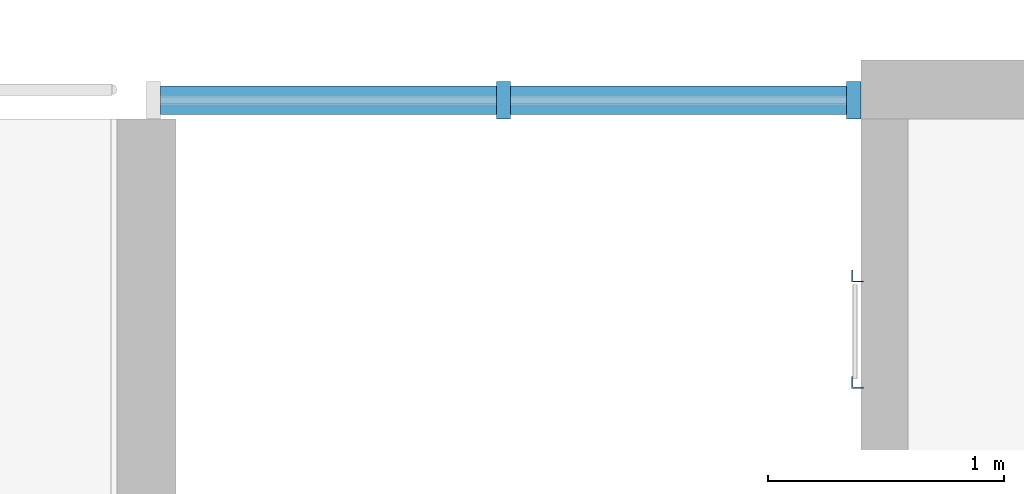
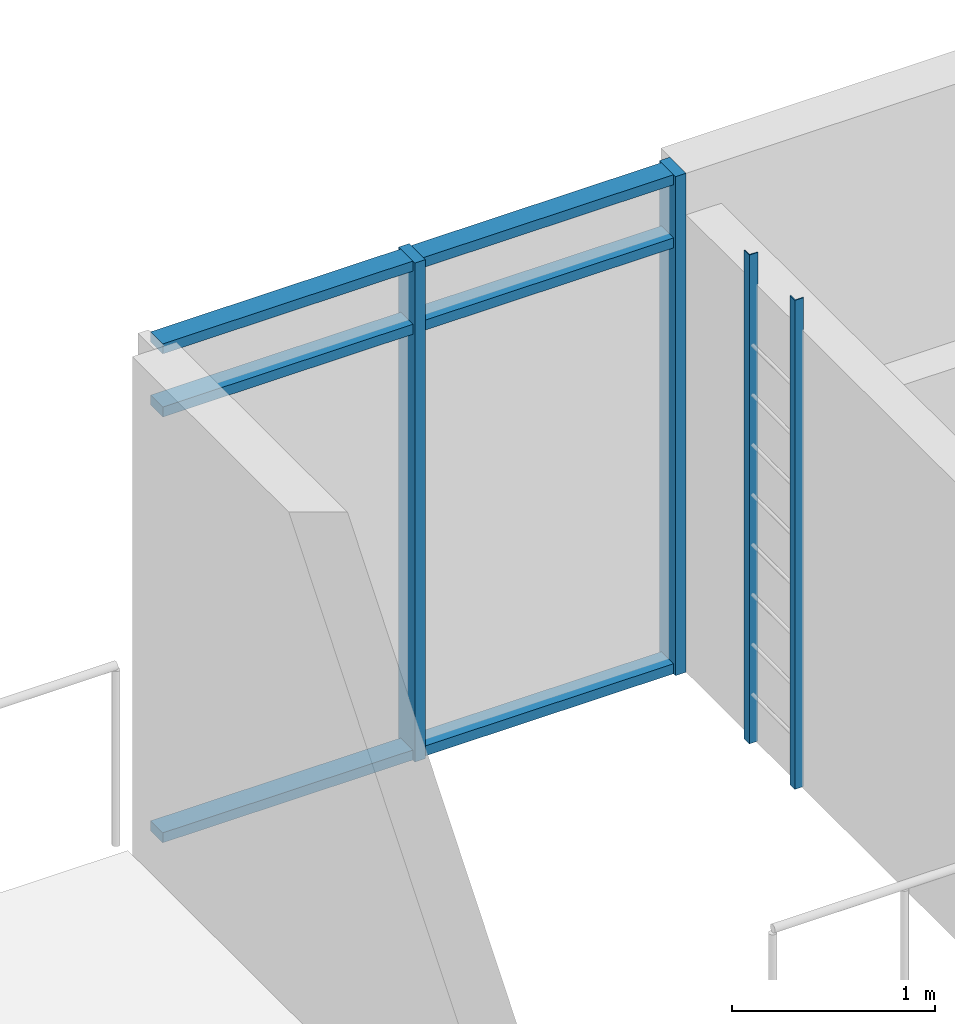
# One storey, part 4 of 33: 10 members, 1 element without a shape of its own.
"""IFC4 building model written with IfcOpenShell, lengths in metres."""

import ifcopenshell
import ifcopenshell.guid

model = None  # the IFC model being written
_history = None  # IfcOwnerHistory: only IFC2X3 demands one
_inside = {}  # id of a spatial element -> (the spatial element, [elements in it])
_under = {}  # id of a project, library or spatial element -> (it, [spatial elements below it])
_declared = {}  # id of a project -> (the project, [libraries it declares])
_typed = {}  # id of a type object -> (the type object, [elements of that type])
_made_of = {}  # id of a material, layer set ... -> (it, [elements and type objects made of it])


def new_model(schema):
    """Start an empty IFC model of exactly this schema.

    Asked for "IFC4X3", IfcOpenShell would pick the latest addendum, in which some entities
    have other attributes; the version numbers below select the first issue.
    IFC2X3 requires an IfcOwnerHistory on every rooted entity: one is made here for all.
    """
    global model, _history
    if schema == "IFC4X3":
        model = ifcopenshell.file(schema_version=(4, 3, 0, 0))
    else:
        model = ifcopenshell.file(schema=schema)
    _inside.clear()
    _under.clear()
    _declared.clear()
    _typed.clear()
    _made_of.clear()
    _history = None
    if model.schema == "IFC2X3":
        org = make("IfcOrganization", Name="unknown")
        user = make(
            "IfcPersonAndOrganization",
            ThePerson=make("IfcPerson", FamilyName="unknown"),
            TheOrganization=org,
        )
        app = make(
            "IfcApplication",
            ApplicationDeveloper=org,
            Version="unknown",
            ApplicationFullName="unknown",
            ApplicationIdentifier="unknown",
        )
        _history = make(
            "IfcOwnerHistory",
            OwningUser=user,
            OwningApplication=app,
            ChangeAction="ADDED",
            CreationDate=0,
        )
    return model


def make(cls, **values):
    """One entity of the class cls with the attributes given. An attribute that is None is left unset."""
    return model.create_entity(
        cls, **{name: value for name, value in values.items() if value is not None}
    )


def rooted(cls, **values):
    """An entity with a GlobalId (a new one), such as an element, a storey or a relation."""
    return make(cls, GlobalId=ifcopenshell.guid.new(), OwnerHistory=_history, **values)


def si_unit(unit_type, name, prefix=None):
    """IfcSIUnit, for example si_unit("LENGTHUNIT", "METRE", prefix="MILLI")."""
    return make("IfcSIUnit", UnitType=unit_type, Prefix=prefix, Name=name)


def assignment(units):
    """IfcUnitAssignment: the units of a project."""
    return None if units is None else make("IfcUnitAssignment", Units=units)


def point(xyz):
    """IfcCartesianPoint."""
    return None if xyz is None else make("IfcCartesianPoint", Coordinates=xyz)


def direction(xyz):
    """IfcDirection."""
    return None if xyz is None else make("IfcDirection", DirectionRatios=xyz)


def frame(location, z_axis=None, x_axis=None):
    """IfcAxis2Placement3D, a coordinate frame: its origin and axes. An axis left out is left unset."""
    return make(
        "IfcAxis2Placement3D",
        Location=point(location),
        Axis=direction(z_axis),
        RefDirection=direction(x_axis),
    )


def frame_2d(location, x_axis=None):
    """IfcAxis2Placement2D, a coordinate frame in the plane: its origin and x axis."""
    return make(
        "IfcAxis2Placement2D", Location=point(location), RefDirection=direction(x_axis)
    )


def origin():
    """The frame at (0, 0, 0) with its axes left unset."""
    return frame((0.0, 0.0, 0.0))


def origin_2d():
    """The frame at (0, 0) in the plane with its x axis left unset."""
    return frame_2d((0.0, 0.0))


def place(relative_to, where):
    """IfcLocalPlacement: puts the frame where relative to a parent placement (None: the world)."""
    return make(
        "IfcLocalPlacement", PlacementRelTo=relative_to, RelativePlacement=where
    )


def context(
    kind, dimensions, precision=None, world=None, true_north=None, identifier=None
):
    """IfcGeometricRepresentationContext, for example the 3D "Model" context."""
    return make(
        "IfcGeometricRepresentationContext",
        ContextIdentifier=identifier,
        ContextType=kind,
        CoordinateSpaceDimension=dimensions,
        Precision=precision,
        WorldCoordinateSystem=world,
        TrueNorth=true_north,
    )


def subcontext(parent, identifier, kind, view, scale=None):
    """IfcGeometricRepresentationSubContext, for example "Body" below "Model"."""
    return make(
        "IfcGeometricRepresentationSubContext",
        ContextIdentifier=identifier,
        ContextType=kind,
        ParentContext=parent,
        TargetScale=scale,
        TargetView=view,
    )


def project(units=None, contexts=None):
    """IfcProject with its units and contexts."""
    return rooted(
        "IfcProject",
        Name="project",
        RepresentationContexts=contexts,
        UnitsInContext=assignment(units),
    )


def spatial(cls, under=None, at=None, **own):
    """A site, building, storey or space (cls), placed at a placement, below another one or the project."""
    s = rooted(cls, ObjectPlacement=at, **own)
    if under is not None:
        _under.setdefault(under.id(), (under, []))[1].append(s)
    return s


def polyline(points):
    """IfcPolyline through the points."""
    return make("IfcPolyline", Points=[point(p) for p in points])


def profile(cls, at=None, kind="AREA", **sizes):
    """A parametric profile (cls). Its sizes go by their IFC names, for example OverallWidth=200.0."""
    return make(cls, ProfileType=kind, Position=at, **sizes)


def rectangle(**sizes):
    """IfcRectangleProfileDef."""
    return profile("IfcRectangleProfileDef", **sizes)


def outline(outer, holes=None, kind="AREA"):
    """IfcArbitraryClosedProfileDef: a profile drawn as a closed curve; with holes, ...WithVoids."""
    if holes is None:
        return make("IfcArbitraryClosedProfileDef", ProfileType=kind, OuterCurve=outer)
    return make(
        "IfcArbitraryProfileDefWithVoids",
        ProfileType=kind,
        OuterCurve=outer,
        InnerCurves=holes,
    )


def extrude(swept, where, along, depth):
    """IfcExtrudedAreaSolid: the profile swept, set in the frame where, extruded along a direction by depth."""
    return make(
        "IfcExtrudedAreaSolid",
        SweptArea=swept,
        Position=where,
        ExtrudedDirection=direction(along),
        Depth=depth,
    )


def shape(context_of_items, identifier, shape_type, items):
    """IfcShapeRepresentation: the items that make up one representation, for example the "Body"."""
    return make(
        "IfcShapeRepresentation",
        ContextOfItems=context_of_items,
        RepresentationIdentifier=identifier,
        RepresentationType=shape_type,
        Items=items,
    )


def material(Name=None, Category=None):
    """IfcMaterial."""
    return make("IfcMaterial", Name=Name, Category=Category)


def material_profile(
    of_material, cross_section, Name=None, Category=None, Priority=None
):
    """IfcMaterialProfile: a cross section and its material."""
    return make(
        "IfcMaterialProfile",
        Name=Name,
        Material=of_material,
        Profile=cross_section,
        Priority=Priority,
        Category=Category,
    )


def profile_set(profiles, Name=None, composite=None):
    """IfcMaterialProfileSet."""
    return make(
        "IfcMaterialProfileSet",
        Name=Name,
        MaterialProfiles=profiles,
        CompositeProfile=composite,
    )


def made_of(thing, what):
    """Note that an element or type object is made of a material, layer set ...; save() writes the relation."""
    if what is not None:
        _made_of.setdefault(what.id(), (what, []))[1].append(thing)
    return thing


def type_object(cls, material=None, **own):
    """A type object (cls), such as IfcWallType, which elements share."""
    return made_of(rooted(cls, **own), material)


def element(
    cls,
    number,
    at=None,
    inside=None,
    cuts=None,
    type_object=None,
    material=None,
    context=None,
    identifier="Body",
    shape_type=None,
    held_by="IfcProductDefinitionShape",
    body=None,
    shapes=None,
    **own,
):
    """One element of the class cls, such as IfcWall. Its Tag is "e" and its number.

    at: its placement. inside: the storey or other place that contains it. cuts: it is an
    opening in that element (IfcRelVoidsElement). A single representation is given by context,
    identifier, shape_type and body (its items); several are given by shapes. held_by: the class
    of the entity that holds the representations. save() writes the other relations.
    """
    e = rooted(cls, Tag="e%d" % number, ObjectPlacement=at, **own)
    if body is not None:
        shapes = [shape(context, identifier, shape_type, body)]
    if shapes is not None:
        e.Representation = make(held_by, Representations=shapes)
    if inside is not None:
        _inside.setdefault(inside.id(), (inside, []))[1].append(e)
    if cuts is not None:
        rooted(
            "IfcRelVoidsElement", RelatingBuildingElement=cuts, RelatedOpeningElement=e
        )
    if type_object is not None:
        _typed.setdefault(type_object.id(), (type_object, []))[1].append(e)
    return made_of(e, material)


def aggregate(whole, parts):
    """IfcRelAggregates: a whole, such as a stair, and the parts it consists of."""
    return rooted("IfcRelAggregates", RelatingObject=whole, RelatedObjects=parts)


def save(model, path):
    """Write the relations noted so far, then the file.

    IfcRelAggregates (storeys below a building ...), IfcRelContainedInSpatialStructure (elements
    in a storey), IfcRelDefinesByType, IfcRelAssociatesMaterial and IfcRelDeclares: one each for
    every whole, place, type object, material and project.
    """
    for whole, parts in _under.values():
        aggregate(whole, parts)
    for where, things in _inside.values():
        rooted(
            "IfcRelContainedInSpatialStructure",
            RelatedElements=things,
            RelatingStructure=where,
        )
    for kind, things in _typed.values():
        rooted("IfcRelDefinesByType", RelatedObjects=things, RelatingType=kind)
    for what, things in _made_of.values():
        rooted("IfcRelAssociatesMaterial", RelatedObjects=things, RelatingMaterial=what)
    for by, libraries in _declared.values():
        rooted("IfcRelDeclares", RelatingContext=by, RelatedDefinitions=libraries)
    model.write(path)


model = new_model("IFC4")

# Units and contexts
model_context = context("Model", 3, precision=1e-05, world=origin(), true_north=direction((0.0, 1.0)))
body_context = subcontext(model_context, "Body", "Model", "MODEL_VIEW")
ifc_project = project(units=[si_unit("LENGTHUNIT", "METRE"), si_unit("AREAUNIT", "SQUARE_METRE"), si_unit("VOLUMEUNIT", "CUBIC_METRE"), si_unit("PLANEANGLEUNIT", "RADIAN"), si_unit("MASSUNIT", "GRAM", prefix="KILO")], contexts=[model_context])

# Site, building, storey
site_placement = place(None, origin())
site = spatial("IfcSite", under=ifc_project, at=site_placement, CompositionType="ELEMENT")
building_placement = place(site_placement, origin())
building = spatial("IfcBuilding", under=site, at=building_placement, Name="Ridgestep Commons", CompositionType="ELEMENT")
storey_placement = place(building_placement, frame((0.0, 0.0, 42.0)))
storey = spatial("IfcBuildingStorey", under=building, at=storey_placement, Name="L14", CompositionType="ELEMENT", Elevation=42.0)

# Members
ifc_material_1 = material(Name="Structural steel S355JR", Category="steel")
ifc_material_profile_1 = material_profile(ifc_material_1, outline(polyline([(-0.014404296875, -0.014404296875), (0.03564453125, -0.014404296875), (0.03564453125, -0.00927734375), (-0.00927734375, -0.00927734375), (-0.00927734375, 0.03564453125), (-0.014404296875, 0.03564453125), (-0.014404296875, -0.014404296875)])), Name="EA 50x50x5")
ifc_profile_set_1 = profile_set([ifc_material_profile_1], Name="Structural steel S355JR")
member_type_1 = type_object("IfcMemberType", Name="Core ladder stile EA 50x50x5", PredefinedType="STRINGER", material=ifc_profile_set_1)
for number, where, z_axis, x_axis, name in (
    (1, (25.800048828125, 21.625, 0.0), (0.0, 0.0, 1.0), (1.0, 0.0, 0.0), "Ladder stile A1C.1"),
    (2, (25.800048828125, 22.074951171875, 0.0), (0.0, 0.0, 1.0), (1.0, 0.0, 0.0), "Ladder stile A1C.2"),
):
    element("IfcMember", number, at=place(storey_placement, frame(where, z_axis=z_axis, x_axis=x_axis)), inside=storey, type_object=member_type_1, Name=name, PredefinedType="STRINGER", context=body_context, shape_type="SweptSolid", body=[
        extrude(outline(polyline([(-0.014404296875, -0.014404296875), (0.03564453125, -0.014404296875), (0.03564453125, -0.00927734375), (-0.00927734375, -0.00927734375), (-0.00927734375, 0.03564453125), (-0.014404296875, 0.03564453125), (-0.014404296875, -0.014404296875)])), origin(), (0.0, 0.0, 1.0), 2.93994140625),
    ])

# Curtain wall, members
ifc_material_2 = material(Name="Aluminium 6063-T6 and glass", Category="aluminium")
curtain_wall_type = type_object("IfcCurtainWallType", Name="Curtain wall stair strip", PredefinedType="NOTDEFINED", material=ifc_material_2)
curtain_wall_placement = place(storey_placement, origin())
curtain_wall = element("IfcCurtainWall", 3, at=curtain_wall_placement, inside=storey, type_object=curtain_wall_type, Name="Curtain wall A1C level 14", PredefinedType="NOTDEFINED")
ifc_material_3 = material(Name="Aluminium 6063-T6", Category="aluminium")
ifc_material_profile_2 = material_profile(ifc_material_3, rectangle(XDim=0.159912109375, YDim=0.06005859375, at=origin_2d()), Name="Mullion 60 x 160")
ifc_profile_set_2 = profile_set([ifc_material_profile_2], Name="Aluminium 6063-T6")
member_type_2 = type_object("IfcMemberType", Name="Mullion 60 x 160", PredefinedType="MULLION", material=ifc_profile_set_2)
member_1_placement = place(storey_placement, frame((24.3125, 22.830078125, 0.0), z_axis=(0.0, 0.0, 1.0), x_axis=(0.0, 1.0, 0.0)))
member_1 = element("IfcMember", 4, at=member_1_placement, type_object=member_type_2, Name="CW1 mullion 2", PredefinedType="MULLION", context=body_context, shape_type="SweptSolid", body=[
    extrude(rectangle(XDim=0.159912109375, YDim=0.06005859375, at=origin_2d()), origin(), (0.0, 0.0, 1.0), 3.0),
])
member_2_placement = place(storey_placement, frame((25.794921875, 22.830078125, 0.0), z_axis=(0.0, 0.0, 1.0), x_axis=(0.0, 1.0, 0.0)))
member_2 = element("IfcMember", 5, at=member_2_placement, type_object=member_type_2, Name="CW1 mullion 3", PredefinedType="MULLION", context=body_context, shape_type="SweptSolid", body=[
    extrude(rectangle(XDim=0.159912109375, YDim=0.06005859375, at=origin_2d()), origin(), (0.0, 0.0, 1.0), 3.0),
])
ifc_material_4 = material(Name="Aluminium 6063-T6", Category="aluminium")
ifc_material_profile_3 = material_profile(ifc_material_4, rectangle(XDim=0.1201171875, YDim=0.06005859375, at=origin_2d()), Name="Transom 60 x 120")
ifc_profile_set_3 = profile_set([ifc_material_profile_3], Name="Aluminium 6063-T6")
member_type_3 = type_object("IfcMemberType", Name="Transom 60 x 120", PredefinedType="USERDEFINED", material=ifc_profile_set_3)
member_3_placement = place(storey_placement, frame((22.860107421875, 22.830078125, 0.030029296875), z_axis=(1.0, 0.0, 0.0), x_axis=(0.0, 1.0, 0.0)))
member_3 = element("IfcMember", 6, at=member_3_placement, type_object=member_type_3, Name="CW1 transom 1.1", ObjectType="TRANSOM", PredefinedType="USERDEFINED", context=body_context, shape_type="SweptSolid", body=[
    extrude(rectangle(XDim=0.1201171875, YDim=0.06005859375, at=origin_2d()), origin(), (0.0, 0.0, 1.0), 1.42236328125),
])
member_4_placement = place(storey_placement, frame((22.860107421875, 22.830078125, 2.590087890625), z_axis=(1.0, 0.0, 0.0), x_axis=(0.0, 1.0, 0.0)))
member_4 = element("IfcMember", 7, at=member_4_placement, type_object=member_type_3, Name="CW1 transom 1.2", ObjectType="TRANSOM", PredefinedType="USERDEFINED", context=body_context, shape_type="SweptSolid", body=[
    extrude(rectangle(XDim=0.1201171875, YDim=0.06005859375, at=origin_2d()), origin(), (0.0, 0.0, 1.0), 1.42236328125),
])
member_5_placement = place(storey_placement, frame((22.860107421875, 22.830078125, 2.969970703125), z_axis=(1.0, 0.0, 0.0), x_axis=(0.0, 1.0, 0.0)))
member_5 = element("IfcMember", 8, at=member_5_placement, type_object=member_type_3, Name="CW1 transom 1.3", ObjectType="TRANSOM", PredefinedType="USERDEFINED", context=body_context, shape_type="SweptSolid", body=[
    extrude(rectangle(XDim=0.1201171875, YDim=0.06005859375, at=origin_2d()), origin(), (0.0, 0.0, 1.0), 1.42236328125),
])
member_6_placement = place(storey_placement, frame((24.342529296875, 22.830078125, 0.030029296875), z_axis=(1.0, 0.0, 0.0), x_axis=(0.0, 1.0, 0.0)))
member_6 = element("IfcMember", 9, at=member_6_placement, type_object=member_type_3, Name="CW1 transom 2.1", ObjectType="TRANSOM", PredefinedType="USERDEFINED", context=body_context, shape_type="SweptSolid", body=[
    extrude(rectangle(XDim=0.1201171875, YDim=0.06005859375, at=origin_2d()), origin(), (0.0, 0.0, 1.0), 1.42236328125),
])
member_7_placement = place(storey_placement, frame((24.342529296875, 22.830078125, 2.590087890625), z_axis=(1.0, 0.0, 0.0), x_axis=(0.0, 1.0, 0.0)))
member_7 = element("IfcMember", 10, at=member_7_placement, type_object=member_type_3, Name="CW1 transom 2.2", ObjectType="TRANSOM", PredefinedType="USERDEFINED", context=body_context, shape_type="SweptSolid", body=[
    extrude(rectangle(XDim=0.1201171875, YDim=0.06005859375, at=origin_2d()), origin(), (0.0, 0.0, 1.0), 1.42236328125),
])
member_8_placement = place(storey_placement, frame((24.342529296875, 22.830078125, 2.969970703125), z_axis=(1.0, 0.0, 0.0), x_axis=(0.0, 1.0, 0.0)))
member_8 = element("IfcMember", 11, at=member_8_placement, type_object=member_type_3, Name="CW1 transom 2.3", ObjectType="TRANSOM", PredefinedType="USERDEFINED", context=body_context, shape_type="SweptSolid", body=[
    extrude(rectangle(XDim=0.1201171875, YDim=0.06005859375, at=origin_2d()), origin(), (0.0, 0.0, 1.0), 1.42236328125),
])
aggregate(curtain_wall, [member_1, member_2, member_3, member_4, member_5, member_6, member_7, member_8])

save(model, "model.ifc")
